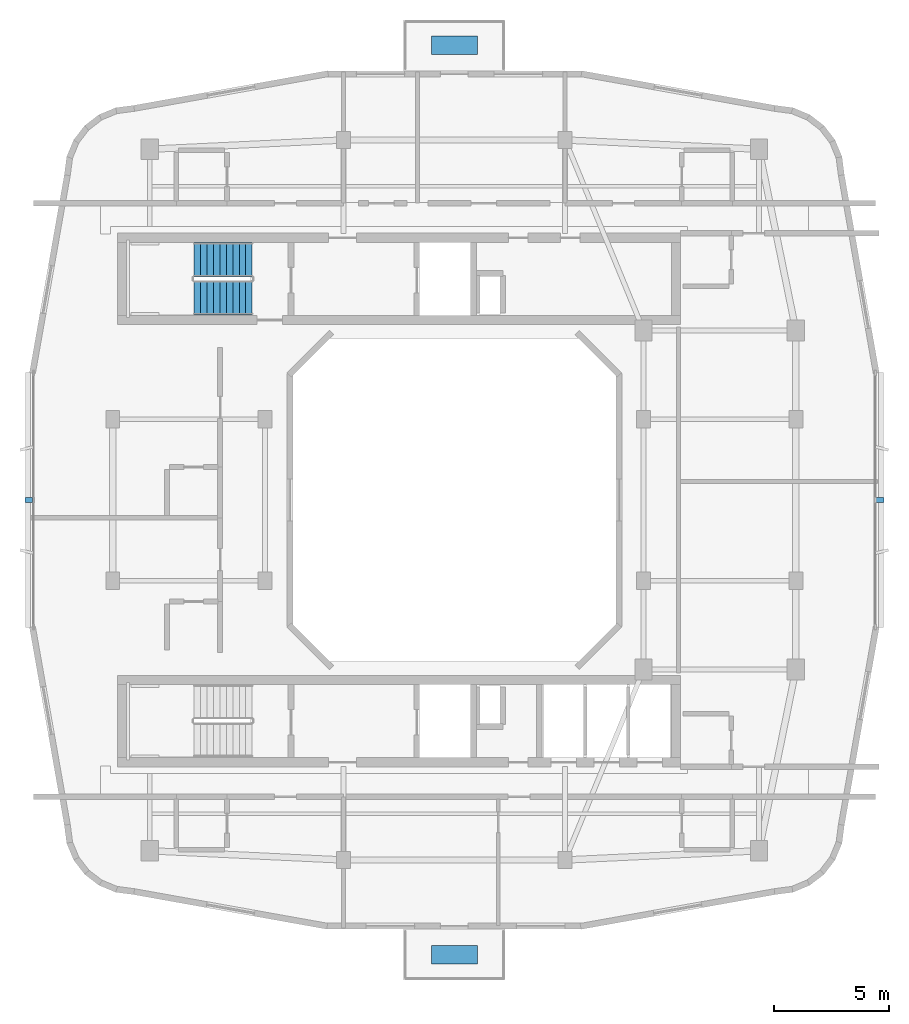
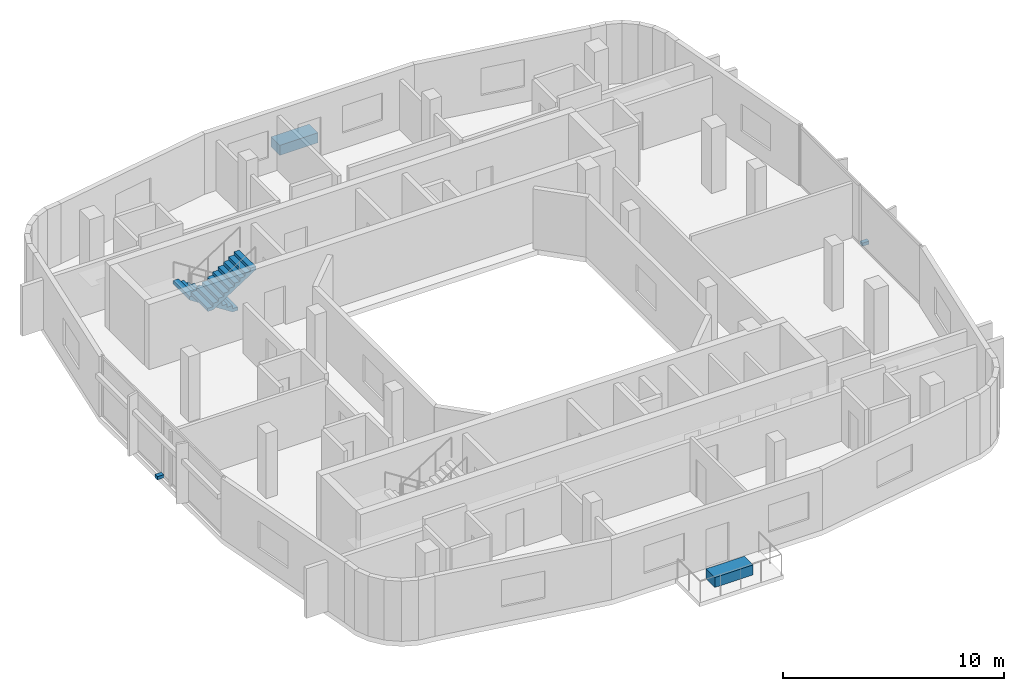
# One storey, part 7 of 10: 4 discrete accessories, 2 stair flights, 1 element without a shape of its own.
"""IFC4 building model written with IfcOpenShell, lengths in metres."""

from ifc_helpers import new_model, si_unit, derived_unit, direction, frame, origin, origin_2d, place, context, subcontext, project, spatial, polyline, rectangle, outline, extrude, material, type_object, element, aggregate, save


model = new_model("IFC4")

# Units and contexts
model_context = context("Model", 3, precision=1e-05, world=origin(), true_north=direction((0.0, 1.0)))
body_context = subcontext(model_context, "Body", "Model", "MODEL_VIEW")
ifc_project = project(units=[si_unit("LENGTHUNIT", "METRE"), si_unit("AREAUNIT", "SQUARE_METRE"), si_unit("VOLUMEUNIT", "CUBIC_METRE"), si_unit("PLANEANGLEUNIT", "RADIAN"), si_unit("MASSUNIT", "GRAM", prefix="KILO"), derived_unit("THERMALTRANSMITTANCEUNIT", [(si_unit("POWERUNIT", "WATT"), 1), (si_unit("LENGTHUNIT", "METRE"), -2), (si_unit("THERMODYNAMICTEMPERATUREUNIT", "KELVIN"), -1)])], contexts=[model_context])

# Site, building, storey
site_placement = place(None, origin())
site = spatial("IfcSite", under=ifc_project, at=site_placement, CompositionType="ELEMENT")
building_placement = place(site_placement, origin())
building = spatial("IfcBuilding", under=site, at=building_placement, Name="Kivonza Crest Hotel", CompositionType="ELEMENT")
storey_placement = place(building_placement, frame((0.0, 0.0, 243.199951171875)))
storey = spatial("IfcBuildingStorey", under=building, at=storey_placement, Name="L66", CompositionType="ELEMENT", Elevation=243.199951171875)

# Stair, stair flights
ifc_material_1 = material(Name="Concrete C40/50", Category="concrete")
stair_type = type_object("IfcStairType", Name="ST-DL-20R", PredefinedType="HALF_TURN_STAIR", material=ifc_material_1)
stair_placement = place(storey_placement, origin())
stair = element("IfcStair", 1, at=stair_placement, inside=storey, type_object=stair_type, Name="L66 Protected Exit Stair ST-T1-N", PredefinedType="HALF_TURN_STAIR")
stair_flight_type = type_object("IfcStairFlightType", Name="SFL-RC-10R", PredefinedType="STRAIGHT", material=ifc_material_1)
stair_flight_1_placement = place(storey_placement, frame((12.239990234375, 35.409912109375, 0.0), z_axis=(0.0, 0.0, 1.0), x_axis=(-1.0, 0.0, 0.0)))
stair_flight_1 = element("IfcStairFlight", 2, at=stair_flight_1_placement, type_object=stair_flight_type, Name="ST-T1-N flight 1", NumberOfRisers=10, NumberOfTreads=9, PredefinedType="STRAIGHT", RiserHeight=0.18, TreadLength=0.28, context=body_context, shape_type="SweptSolid", body=[
    extrude(outline(polyline([(0.0, 0.0), (0.0, 0.179931640625), (0.280029296875, 0.179931640625), (0.280029296875, 0.360107421875), (0.56005859375, 0.360107421875), (0.56005859375, 0.5400390625), (0.840087890625, 0.5400390625), (0.840087890625, 0.719970703125), (1.1201171875, 0.719970703125), (1.1201171875, 0.89990234375), (1.39990234375, 0.89990234375), (1.39990234375, 1.080078125), (1.679931640625, 1.080078125), (1.679931640625, 1.260009765625), (1.9599609375, 1.260009765625), (1.9599609375, 1.43994140625), (2.239990234375, 1.43994140625), (2.239990234375, 1.6201171875), (2.52001953125, 1.6201171875), (2.52001953125, 1.800048828125), (2.52001953125, 1.44189453125), (0.277099609375, 0.0), (0.0, 0.0)])), frame((0.0, 0.75, 0.0), z_axis=(0.0, -1.0, 0.0), x_axis=(1.0, 0.0, 0.0)), (0.0, 0.0, 1.0), 1.5),
])
stair_flight_2_placement = place(storey_placement, frame((9.719970703125, 33.77001953125, 1.800048828125), z_axis=(0.0, 0.0, 1.0), x_axis=(1.0, 0.0, 0.0)))
stair_flight_2 = element("IfcStairFlight", 3, at=stair_flight_2_placement, type_object=stair_flight_type, Name="ST-T1-N flight 2", NumberOfRisers=10, NumberOfTreads=9, PredefinedType="STRAIGHT", RiserHeight=0.18, TreadLength=0.28, context=body_context, shape_type="SweptSolid", body=[
    extrude(outline(polyline([(0.0, 0.0), (0.0, 0.179931640625), (0.280029296875, 0.179931640625), (0.280029296875, 0.360107421875), (0.56005859375, 0.360107421875), (0.56005859375, 0.5400390625), (0.840087890625, 0.5400390625), (0.840087890625, 0.719970703125), (1.1201171875, 0.719970703125), (1.1201171875, 0.89990234375), (1.39990234375, 0.89990234375), (1.39990234375, 1.080078125), (1.679931640625, 1.080078125), (1.679931640625, 1.260009765625), (1.9599609375, 1.260009765625), (1.9599609375, 1.43994140625), (2.239990234375, 1.43994140625), (2.239990234375, 1.6201171875), (2.52001953125, 1.6201171875), (2.52001953125, 1.800048828125), (2.52001953125, 1.44189453125), (0.277099609375, 0.0), (0.0, 0.0)])), frame((0.0, 0.75, 0.0), z_axis=(0.0, -1.0, 0.0), x_axis=(1.0, 0.0, 0.0)), (0.0, 0.0, 1.0), 1.5),
])
aggregate(stair, [stair_flight_1, stair_flight_2])

# Discrete accessories
ifc_material_2 = material(Name="Stainless steel 316", Category="steel")
discrete_accessory_type_1 = type_object("IfcDiscreteAccessoryType", Name="AC-BRACKET-240", PredefinedType="BRACKET", material=ifc_material_2)
for number, where, z_axis, x_axis, name in (
    (4, (39.43994140625, 25.0, -0.009765625), (0.0, 0.0, 1.0), (0.0, 1.0, 0.0), "L66 terracotta baguette support bracket CW-T1-L66-17"),
    (5, (2.56005859375, 25.0, -0.009765625), (0.0, 0.0, 1.0), (0.0, -1.0, 0.0), "L66 terracotta baguette support bracket CW-T1-L66-35"),
):
    element("IfcDiscreteAccessory", number, at=place(storey_placement, frame(where, z_axis=z_axis, x_axis=x_axis)), inside=storey, type_object=discrete_accessory_type_1, Name=name, PredefinedType="BRACKET", context=body_context, shape_type="SweptSolid", body=[
        extrude(rectangle(XDim=0.219970703125, YDim=0.340087890625, at=origin_2d()), origin(), (0.0, 0.0, 1.0), 0.179931640625),
    ])
ifc_material_3 = material(Name="Precast GRC planter with engineered planting soil", Category="concrete")
discrete_accessory_type_2 = type_object("IfcDiscreteAccessoryType", Name="AC-PLANTER-1800", PredefinedType="USERDEFINED", material=ifc_material_3)
for number, where, z_axis, x_axis, name in (
    (6, (21.0, 5.300048828125, 0.0), (0.0, 0.0, 1.0), (1.0, 0.0, 0.0), "T1 L66 SW sky-garden planter"),
    (7, (21.0, 44.699951171875, 0.0), (0.0, 0.0, 1.0), (1.0, 0.0, 0.0), "T1 L66 NE sky-garden planter"),
):
    element("IfcDiscreteAccessory", number, at=place(storey_placement, frame(where, z_axis=z_axis, x_axis=x_axis)), inside=storey, type_object=discrete_accessory_type_2, Name=name, ObjectType="PLANTER", PredefinedType="USERDEFINED", context=body_context, shape_type="SweptSolid", body=[
        extrude(rectangle(XDim=2.0, YDim=0.800048828125, at=origin_2d()), origin(), (0.0, 0.0, 1.0), 0.550048828125),
    ])

save(model, "model.ifc")
